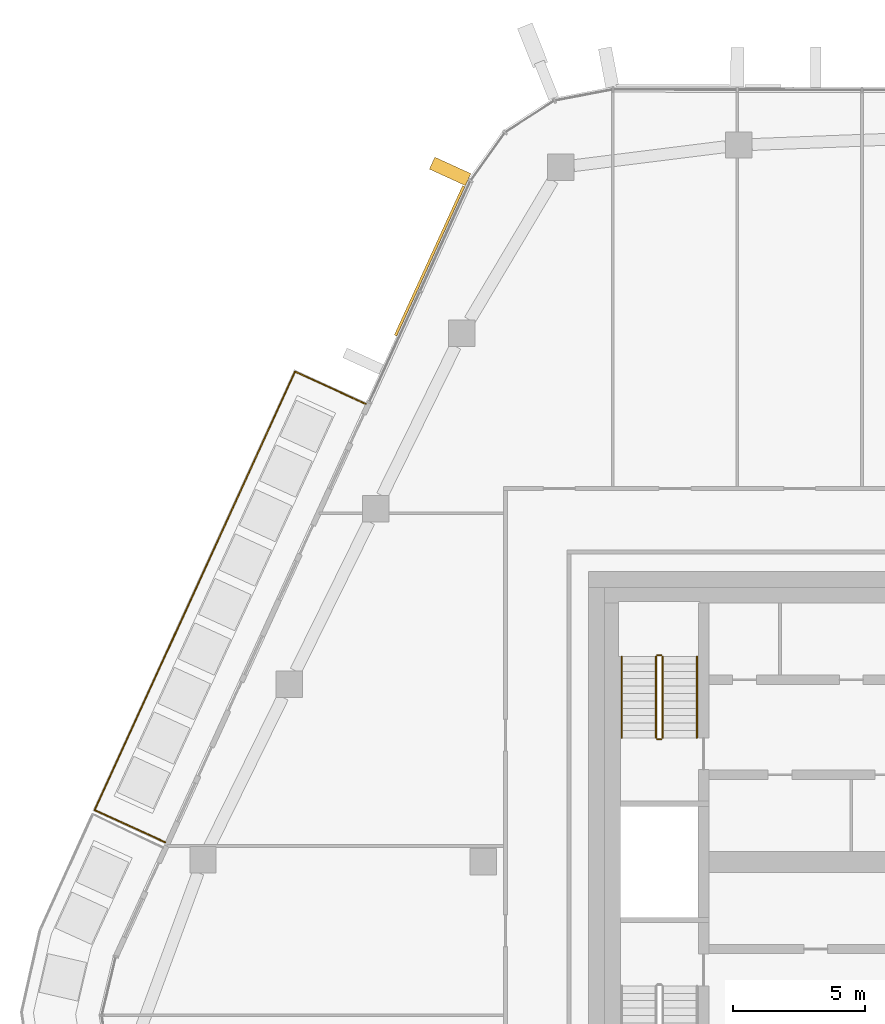
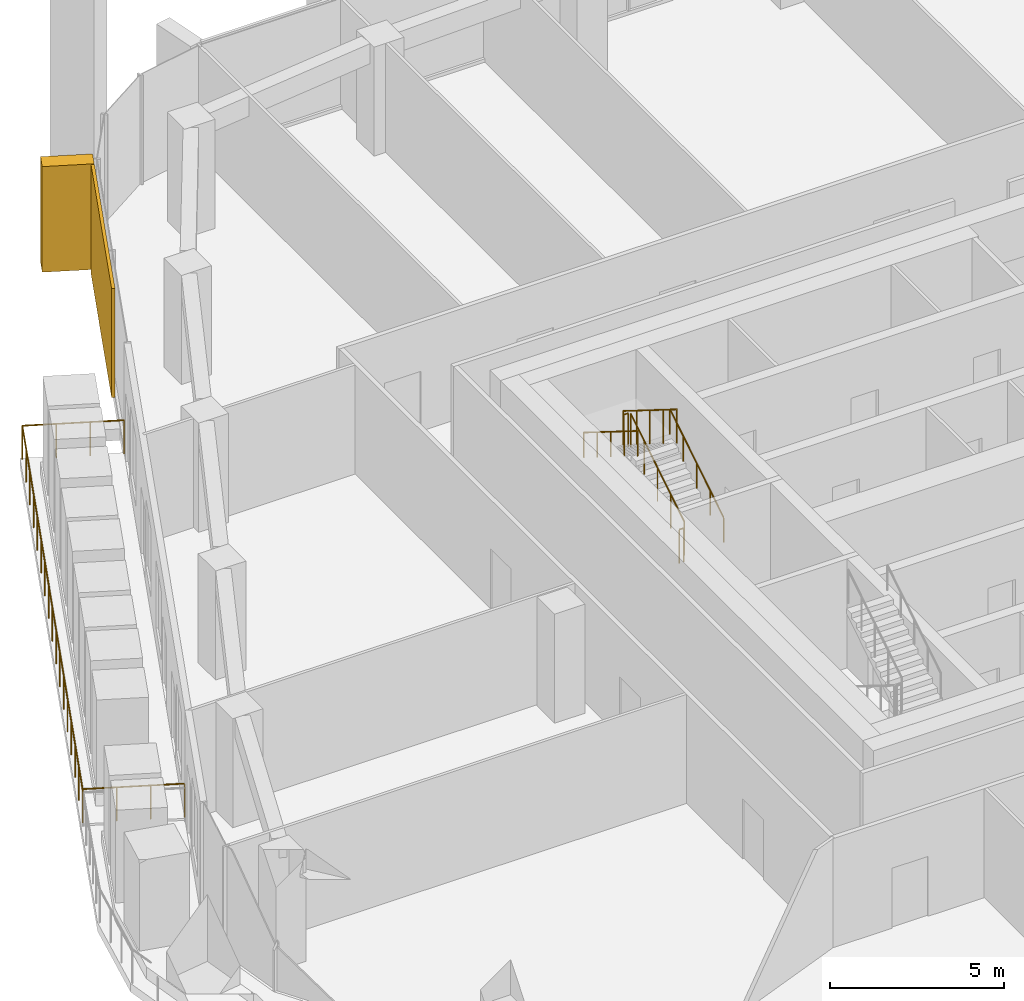
# One storey, part 21 of 24: 7 railings, 2 coverings, 1 element without a shape of its own.
"""IFC4 building model written with IfcOpenShell, lengths in metres."""

from ifc_helpers import new_model, si_unit, direction, frame, origin, origin_2d, place, context, subcontext, project, spatial, rectangle, circle, extrude, material, layer, layer_set, material_profile, profile_set, type_object, element, aggregate, save


model = new_model("IFC4")

# Units and contexts
model_context = context("Model", 3, precision=1e-05, world=origin(), true_north=direction((0.0, 1.0)))
body_context = subcontext(model_context, "Body", "Model", "MODEL_VIEW")
ifc_project = project(units=[si_unit("LENGTHUNIT", "METRE"), si_unit("AREAUNIT", "SQUARE_METRE"), si_unit("VOLUMEUNIT", "CUBIC_METRE"), si_unit("PLANEANGLEUNIT", "RADIAN"), si_unit("MASSUNIT", "GRAM", prefix="KILO")], contexts=[model_context])

# Site, building, storey
site_placement = place(None, origin())
site = spatial("IfcSite", under=ifc_project, at=site_placement, CompositionType="ELEMENT")
building_placement = place(site_placement, origin())
building = spatial("IfcBuilding", under=site, at=building_placement, Name="Dongbaek Canopy Tower", CompositionType="ELEMENT")
storey_placement = place(building_placement, frame((0.0, 0.0, 306.800048828125)))
storey = spatial("IfcBuildingStorey", under=building, at=storey_placement, Name="L65", CompositionType="ELEMENT", Elevation=306.800048828125)

# Railing
ifc_material_1 = material(Name="Stainless steel", Category="steel")
railing_type_1 = type_object("IfcRailingType", Name="Balcony balustrade 1200", PredefinedType="BALUSTRADE", material=ifc_material_1)
railing_1_placement = place(storey_placement, frame((-22.455078125, 17.355712890625, 0.0)))
element("IfcRailing", 1, at=railing_1_placement, inside=storey, type_object=railing_type_1, Name="Balcony guard L65 2", PredefinedType="BALUSTRADE", context=body_context, shape_type="SweptSolid", body=[
    extrude(circle(Radius=0.02392578125, at=origin_2d()), frame((0.0, 0.0, 1.17578125), z_axis=(-0.90949421215, 0.415716583823, 0.0), x_axis=(-0.415716583823, -0.90949421215, 0.0)), (0.0, 0.0, 1.0), 2.93994140625),
    extrude(circle(Radius=0.02392578125, at=origin_2d()), frame((-2.673828125, 1.22216796875, 1.17578125), z_axis=(-0.41571932956, -0.909492957109, 0.0), x_axis=(0.909492957109, -0.41571932956, 0.0)), (0.0, 0.0, 1.0), 18.2666015625),
    extrude(circle(Radius=0.02392578125, at=origin_2d()), frame((-10.267578125, -15.39111328125, 1.17578125), z_axis=(0.90947716676, -0.415753873274, 0.0), x_axis=(0.415753873274, 0.90947716676, 0.0)), (0.0, 0.0, 1.0), 2.940185546875),
    extrude(circle(Radius=0.02099609375, at=origin_2d()), origin(), (0.0, 0.0, 1.0), 1.15185546875),
    extrude(circle(Radius=0.02099609375, at=origin_2d()), frame((-0.891357421875, 0.407470703125, 0.0)), (0.0, 0.0, 1.0), 1.15185546875),
    extrude(circle(Radius=0.02099609375, at=origin_2d()), frame((-1.782470703125, 0.814697265625, 0.0)), (0.0, 0.0, 1.0), 1.15185546875),
    extrude(circle(Radius=0.02099609375, at=origin_2d()), frame((-2.673828125, 1.22216796875, 0.0)), (0.0, 0.0, 1.0), 1.15185546875),
    extrude(circle(Radius=0.02099609375, at=origin_2d()), frame((-3.1484375, 0.183837890625, 0.0)), (0.0, 0.0, 1.0), 1.15185546875),
    extrude(circle(Radius=0.02099609375, at=origin_2d()), frame((-3.623046875, -0.8544921875, 0.0)), (0.0, 0.0, 1.0), 1.15185546875),
    extrude(circle(Radius=0.02099609375, at=origin_2d()), frame((-4.09765625, -1.892822265625, 0.0)), (0.0, 0.0, 1.0), 1.15185546875),
    extrude(circle(Radius=0.02099609375, at=origin_2d()), frame((-4.572265625, -2.93115234375, 0.0)), (0.0, 0.0, 1.0), 1.15185546875),
    extrude(circle(Radius=0.02099609375, at=origin_2d()), frame((-5.046875, -3.969482421875, 0.0)), (0.0, 0.0, 1.0), 1.15185546875),
    extrude(circle(Radius=0.02099609375, at=origin_2d()), frame((-5.521484375, -5.0078125, 0.0)), (0.0, 0.0, 1.0), 1.15185546875),
    extrude(circle(Radius=0.02099609375, at=origin_2d()), frame((-5.99609375, -6.046142578125, 0.0)), (0.0, 0.0, 1.0), 1.15185546875),
    extrude(circle(Radius=0.02099609375, at=origin_2d()), frame((-6.470703125, -7.08447265625, 0.0)), (0.0, 0.0, 1.0), 1.15185546875),
    extrude(circle(Radius=0.02099609375, at=origin_2d()), frame((-6.9453125, -8.122802734375, 0.0)), (0.0, 0.0, 1.0), 1.15185546875),
    extrude(circle(Radius=0.02099609375, at=origin_2d()), frame((-7.419921875, -9.1611328125, 0.0)), (0.0, 0.0, 1.0), 1.15185546875),
    extrude(circle(Radius=0.02099609375, at=origin_2d()), frame((-7.89453125, -10.199462890625, 0.0)), (0.0, 0.0, 1.0), 1.15185546875),
    extrude(circle(Radius=0.02099609375, at=origin_2d()), frame((-8.369140625, -11.23779296875, 0.0)), (0.0, 0.0, 1.0), 1.15185546875),
    extrude(circle(Radius=0.02099609375, at=origin_2d()), frame((-8.84375, -12.276123046875, 0.0)), (0.0, 0.0, 1.0), 1.15185546875),
    extrude(circle(Radius=0.02099609375, at=origin_2d()), frame((-9.318359375, -13.314453125, 0.0)), (0.0, 0.0, 1.0), 1.15185546875),
    extrude(circle(Radius=0.02099609375, at=origin_2d()), frame((-9.79296875, -14.352783203125, 0.0)), (0.0, 0.0, 1.0), 1.15185546875),
    extrude(circle(Radius=0.02099609375, at=origin_2d()), frame((-10.267578125, -15.39111328125, 0.0)), (0.0, 0.0, 1.0), 1.15185546875),
    extrude(circle(Radius=0.02099609375, at=origin_2d()), frame((-9.376220703125, -15.798583984375, 0.0)), (0.0, 0.0, 1.0), 1.15185546875),
    extrude(circle(Radius=0.02099609375, at=origin_2d()), frame((-8.48486328125, -16.2060546875, 0.0)), (0.0, 0.0, 1.0), 1.15185546875),
    extrude(circle(Radius=0.02099609375, at=origin_2d()), frame((-7.593505859375, -16.613525390625, 0.0)), (0.0, 0.0, 1.0), 1.15185546875),
])

# Curtain wall, coverings
ifc_material_2 = material(Name="Aluminium 6063-T6 pale anodised", Category="aluminium")
ifc_layer_1 = layer(ifc_material_2, 0.199951171875)
ifc_layer_set_1 = layer_set([ifc_layer_1], Name="CW-1 unitised tower curtain wall")
curtain_wall_type = type_object("IfcCurtainWallType", Name="CW-1 unitised tower curtain wall", PredefinedType="NOTDEFINED", material=ifc_layer_set_1)
curtain_wall_placement = place(storey_placement, origin())
curtain_wall = element("IfcCurtainWall", 2, at=curtain_wall_placement, inside=storey, type_object=curtain_wall_type, Name="CW-1 curtain wall F2.1", PredefinedType="NOTDEFINED")
ifc_material_3 = material(Name="Perforated aluminium 6063-T6 pale metal screen", Category="aluminium")
ifc_layer_2 = layer(ifc_material_3, 0.10009765625)
ifc_layer_set_2 = layer_set([ifc_layer_2], Name="Facet screen FS1 100 pale metal")
covering_type_1 = type_object("IfcCoveringType", Name="Facet screen FS1 100 pale metal", PredefinedType="CLADDING", material=ifc_layer_set_2)
covering_1_placement = place(storey_placement, frame((-20.027099609375, 22.778076171875, 0.0), z_axis=(0.0, 0.0, 1.0), x_axis=(-0.415712594974, -0.909496035384, 0.0)))
covering_1 = element("IfcCovering", 3, at=covering_1_placement, type_object=covering_type_1, Name="Facet screen L65 F2", PredefinedType="CLADDING", context=body_context, shape_type="SweptSolid", body=[
    extrude(rectangle(XDim=6.225341796875, YDim=0.10009765625, at=origin_2d()), origin(), (0.0, 0.0, 1.0), 3.820068359375),
])
ifc_material_4 = material(Name="Aluminium 6063-T6 pale metal fin", Category="aluminium")
ifc_material_profile = material_profile(ifc_material_4, rectangle(XDim=1.5, YDim=0.5, at=origin_2d()), Name="Fin FN1 500 x 1500 pale metal")
ifc_profile_set = profile_set([ifc_material_profile], Name="Aluminium 6063-T6 pale metal fin")
covering_type_2 = type_object("IfcCoveringType", Name="Fin FN1 500 x 1500 pale metal", PredefinedType="CLADDING", material=ifc_profile_set)
covering_2_placement = place(storey_placement, frame((-19.2529296875, 26.16552734375, 0.119873046875), z_axis=(0.0, 0.0, 1.0), x_axis=(-0.909495883664, 0.415712926909, 0.0)))
covering_2 = element("IfcCovering", 4, at=covering_2_placement, type_object=covering_type_2, Name="Fin F2.1.1", PredefinedType="CLADDING", context=body_context, shape_type="SweptSolid", body=[
    extrude(rectangle(XDim=1.5, YDim=0.5, at=origin_2d()), origin(), (0.0, 0.0, 1.0), 3.7001953125),
])
aggregate(curtain_wall, [covering_2, covering_1])

# Railings
ifc_material_5 = material(Name="Stainless steel tube and balusters", Category="steel")
railing_type_2 = type_object("IfcRailingType", Name="Stair guard 1200", PredefinedType="GUARDRAIL", material=ifc_material_5)
railing_2_placement = place(storey_placement, frame((-11.199951171875, 4.699951171875, 0.175048828125)))
element("IfcRailing", 5, at=railing_2_placement, inside=storey, type_object=railing_type_2, Name="L65 ST-C stair guard 1", PredefinedType="GUARDRAIL", context=body_context, shape_type="SweptSolid", body=[
    extrude(circle(Radius=0.02392578125, at=origin_2d()), frame((0.0, 0.0, 1.17578125), z_axis=(0.0, 0.848028513186, 0.529950602248), x_axis=(-1.0, 0.0, 0.0)), (0.0, 0.0, 1.0), 3.632080078125),
    extrude(circle(Radius=0.02099609375, at=origin_2d()), origin(), (0.0, 0.0, 1.0), 1.15185546875),
    extrude(circle(Radius=0.02099609375, at=origin_2d()), frame((0.0, 0.77001953125, 0.481201171875)), (0.0, 0.0, 1.0), 1.15185546875),
    extrude(circle(Radius=0.02099609375, at=origin_2d()), frame((0.0, 1.5400390625, 0.96240234375)), (0.0, 0.0, 1.0), 1.15185546875),
    extrude(circle(Radius=0.02099609375, at=origin_2d()), frame((0.0, 2.31005859375, 1.443603515625)), (0.0, 0.0, 1.0), 1.15185546875),
    extrude(circle(Radius=0.02099609375, at=origin_2d()), frame((0.0, 3.080078125, 1.9248046875)), (0.0, 0.0, 1.0), 1.15185546875),
])
railing_3_placement = place(storey_placement, frame((-11.25, 7.830078125, 2.099853515625)))
element("IfcRailing", 6, at=railing_3_placement, inside=storey, type_object=railing_type_2, Name="L65 ST-C stair guard 2", PredefinedType="GUARDRAIL", context=body_context, shape_type="SweptSolid", body=[
    extrude(circle(Radius=0.02392578125, at=origin_2d()), frame((0.0, 0.0, 1.17578125), z_axis=(-1.0, 0.0, 0.0), x_axis=(0.0, -1.0, 0.0)), (0.0, 0.0, 1.0), 0.14990234375),
    extrude(circle(Radius=0.02099609375, at=origin_2d()), origin(), (0.0, 0.0, 1.0), 1.15185546875),
    extrude(circle(Radius=0.02099609375, at=origin_2d()), frame((-0.14990234375, 0.0, 0.0)), (0.0, 0.0, 1.0), 1.15185546875),
])
railing_4_placement = place(storey_placement, frame((-11.449951171875, 7.780029296875, 2.27490234375)))
element("IfcRailing", 7, at=railing_4_placement, inside=storey, type_object=railing_type_2, Name="L65 ST-C stair guard 3", PredefinedType="GUARDRAIL", context=body_context, shape_type="SweptSolid", body=[
    extrude(circle(Radius=0.02392578125, at=origin_2d()), frame((0.0, 0.0, 1.17578125), z_axis=(0.0, -0.847998304005, 0.529998940003), x_axis=(1.0, 0.0, 0.0)), (0.0, 0.0, 1.0), 3.632080078125),
    extrude(circle(Radius=0.02099609375, at=origin_2d()), origin(), (0.0, 0.0, 1.0), 1.15185546875),
    extrude(circle(Radius=0.02099609375, at=origin_2d()), frame((0.0, -0.77001953125, 0.481201171875)), (0.0, 0.0, 1.0), 1.15185546875),
    extrude(circle(Radius=0.02099609375, at=origin_2d()), frame((0.0, -1.5400390625, 0.96240234375)), (0.0, 0.0, 1.0), 1.15185546875),
    extrude(circle(Radius=0.02099609375, at=origin_2d()), frame((0.0, -2.31005859375, 1.44384765625)), (0.0, 0.0, 1.0), 1.15185546875),
    extrude(circle(Radius=0.02099609375, at=origin_2d()), frame((0.0, -3.080078125, 1.925048828125)), (0.0, 0.0, 1.0), 1.15185546875),
])
railing_5_placement = place(storey_placement, frame((-11.25, 4.64990234375, 0.0)))
element("IfcRailing", 8, at=railing_5_placement, inside=storey, type_object=railing_type_2, Name="L65 ST-C stair guard 4", PredefinedType="GUARDRAIL", context=body_context, shape_type="SweptSolid", body=[
    extrude(circle(Radius=0.02392578125, at=origin_2d()), frame((0.0, 0.0, 1.17578125), z_axis=(-1.0, 0.0, 0.0), x_axis=(0.0, -1.0, 0.0)), (0.0, 0.0, 1.0), 0.14990234375),
    extrude(circle(Radius=0.02099609375, at=origin_2d()), origin(), (0.0, 0.0, 1.0), 1.15185546875),
    extrude(circle(Radius=0.02099609375, at=origin_2d()), frame((-0.14990234375, 0.0, 0.0)), (0.0, 0.0, 1.0), 1.15185546875),
])
ifc_material_6 = material(Name="Stainless steel tube", Category="steel")
railing_type_3 = type_object("IfcRailingType", Name="Stair handrail 900", PredefinedType="HANDRAIL", material=ifc_material_6)
railing_6_placement = place(storey_placement, frame((-9.89990234375, 4.699951171875, 0.175048828125)))
element("IfcRailing", 9, at=railing_6_placement, inside=storey, type_object=railing_type_3, Name="L65 ST-C stair handrail 1", PredefinedType="HANDRAIL", context=body_context, shape_type="SweptSolid", body=[
    extrude(circle(Radius=0.02392578125, at=origin_2d()), frame((0.0, 0.0, 0.8759765625), z_axis=(0.0, 0.848028513186, 0.529950602248), x_axis=(-1.0, 0.0, 0.0)), (0.0, 0.0, 1.0), 3.632080078125),
    extrude(circle(Radius=0.02099609375, at=origin_2d()), origin(), (0.0, 0.0, 1.0), 0.851806640625),
    extrude(circle(Radius=0.02099609375, at=origin_2d()), frame((0.0, 0.77001953125, 0.481201171875)), (0.0, 0.0, 1.0), 0.851806640625),
    extrude(circle(Radius=0.02099609375, at=origin_2d()), frame((0.0, 1.5400390625, 0.96240234375)), (0.0, 0.0, 1.0), 0.851806640625),
    extrude(circle(Radius=0.02099609375, at=origin_2d()), frame((0.0, 2.31005859375, 1.443603515625)), (0.0, 0.0, 1.0), 0.851806640625),
    extrude(circle(Radius=0.02099609375, at=origin_2d()), frame((0.0, 3.080078125, 1.9248046875)), (0.0, 0.0, 1.0), 0.851806640625),
])
railing_7_placement = place(storey_placement, frame((-12.75, 7.780029296875, 2.27490234375)))
element("IfcRailing", 10, at=railing_7_placement, inside=storey, type_object=railing_type_3, Name="L65 ST-C stair handrail 2", PredefinedType="HANDRAIL", context=body_context, shape_type="SweptSolid", body=[
    extrude(circle(Radius=0.02392578125, at=origin_2d()), frame((0.0, 0.0, 0.8759765625), z_axis=(0.0, -0.847998304005, 0.529998940003), x_axis=(1.0, 0.0, 0.0)), (0.0, 0.0, 1.0), 3.632080078125),
    extrude(circle(Radius=0.02099609375, at=origin_2d()), origin(), (0.0, 0.0, 1.0), 0.851806640625),
    extrude(circle(Radius=0.02099609375, at=origin_2d()), frame((0.0, -0.77001953125, 0.481201171875)), (0.0, 0.0, 1.0), 0.851806640625),
    extrude(circle(Radius=0.02099609375, at=origin_2d()), frame((0.0, -1.5400390625, 0.96240234375)), (0.0, 0.0, 1.0), 0.851806640625),
    extrude(circle(Radius=0.02099609375, at=origin_2d()), frame((0.0, -2.31005859375, 1.44384765625)), (0.0, 0.0, 1.0), 0.851806640625),
    extrude(circle(Radius=0.02099609375, at=origin_2d()), frame((0.0, -3.080078125, 1.925048828125)), (0.0, 0.0, 1.0), 0.851806640625),
])

save(model, "model.ifc")
